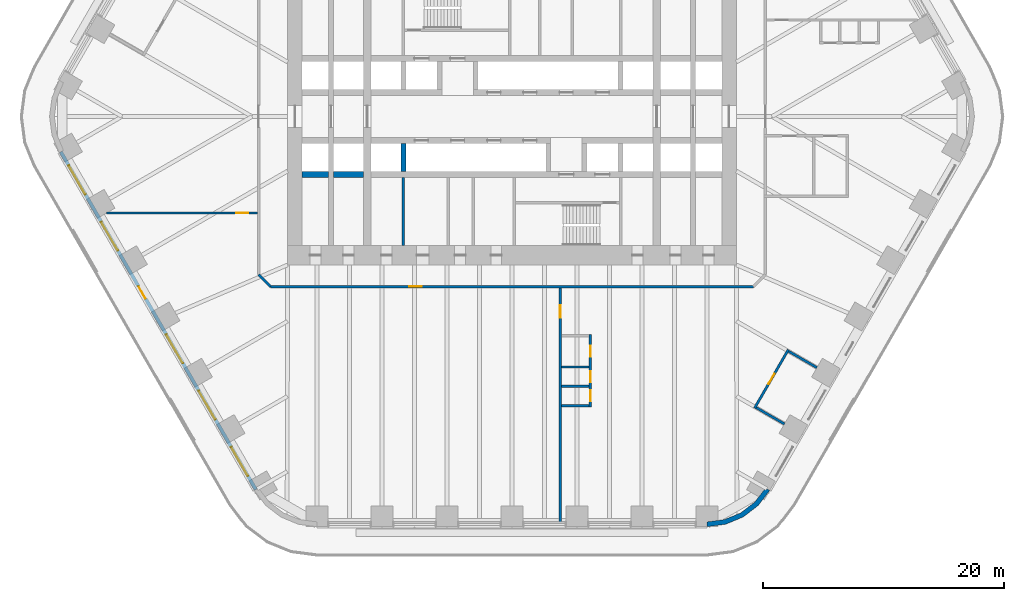
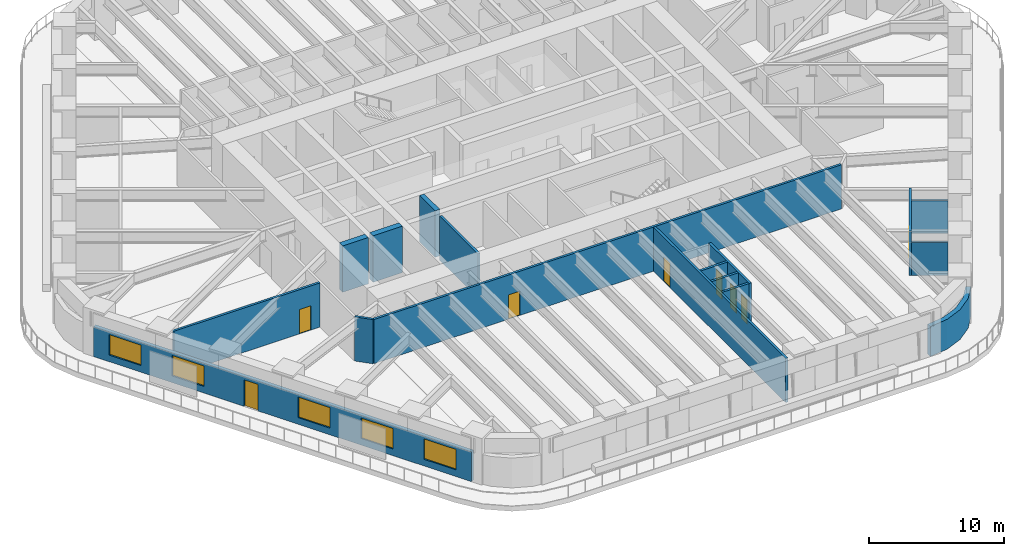
# One storey, part 16 of 24: 17 walls, 8 doors, 5 windows, 13 openings.
"""IFC4 building model written with IfcOpenShell, lengths in metres."""

from ifc_helpers import new_model, si_unit, direction, frame, frame_2d, origin, place, context, subcontext, project, spatial, polyline, rectangle, outline, extrude, material, layer, layer_set, type_object, element, fill, save


model = new_model("IFC4")

# Units and contexts
model_context = context("Model", 3, precision=1e-05, world=origin(), true_north=direction((0.0, 1.0)))
body_context = subcontext(model_context, "Body", "Model", "MODEL_VIEW")
ifc_project = project(units=[si_unit("LENGTHUNIT", "METRE"), si_unit("AREAUNIT", "SQUARE_METRE"), si_unit("VOLUMEUNIT", "CUBIC_METRE"), si_unit("PLANEANGLEUNIT", "RADIAN"), si_unit("MASSUNIT", "GRAM", prefix="KILO")], contexts=[model_context])

# Site, building, storey
site_placement = place(None, origin())
site = spatial("IfcSite", under=ifc_project, at=site_placement, CompositionType="ELEMENT")
building_placement = place(site_placement, origin())
building = spatial("IfcBuilding", under=site, at=building_placement, Name="Tarfa Lantern Tower", CompositionType="ELEMENT")
storey_placement = place(building_placement, frame((0.0, 0.0, 90.699951171875)))
storey = spatial("IfcBuildingStorey", under=building, at=storey_placement, Name="L20", CompositionType="ELEMENT", Elevation=90.699951171875)

# Wall, openings, door, windows
ifc_material_1 = material(Name="Limestone cladding on blockwork", Category="masonry")
ifc_layer_1 = layer(ifc_material_1, 0.300048828125)
ifc_layer_set_1 = layer_set([ifc_layer_1], Name="EW1 STONE-CLAD WALL 300")
wall_type_1 = type_object("IfcWallType", Name="EW1 STONE-CLAD WALL 300", PredefinedType="SOLIDWALL", material=ifc_layer_set_1)
wall_1_placement = place(storey_placement, frame((-37.39794921875, -2.925048828125, 0.0), z_axis=(0.0, 0.0, 1.0), x_axis=(0.499999163675, -0.866025886636, 0.0)))
wall_1 = element("IfcWall", 1, at=wall_1_placement, inside=storey, type_object=wall_type_1, Name="Stone wall SW", PredefinedType="SOLIDWALL", context=body_context, shape_type="SweptSolid", body=[
    extrude(rectangle(XDim=32.33154296875, YDim=0.300048828125, at=frame_2d((16.165771484375, 0.0))), origin(), (0.0, 0.0, 1.0), 2.699951171875),
])
opening_1_placement = place(wall_1_placement, frame((1.3193359375, 0.0, 0.60009765625)))
opening_1 = element("IfcOpeningElement", 2, at=opening_1_placement, cuts=wall_1, Name="Opening W2", PredefinedType="OPENING", context=body_context, shape_type="SweptSolid", body=[
    extrude(rectangle(XDim=2.75, YDim=1.85009765625, at=frame_2d((1.375, 0.925048828125))), frame((0.0, 0.159912109375, 0.0), z_axis=(0.0, -1.0, 0.0), x_axis=(1.0, 0.0, 0.0)), (0.0, 0.0, 1.0), 0.320068359375),
])
opening_2_placement = place(wall_1_placement, frame((6.7080078125, 0.0, 0.60009765625)))
opening_2 = element("IfcOpeningElement", 3, at=opening_2_placement, cuts=wall_1, Name="Opening W2", PredefinedType="OPENING", context=body_context, shape_type="SweptSolid", body=[
    extrude(rectangle(XDim=2.75, YDim=1.85009765625, at=frame_2d((1.375, 0.925048828125))), frame((0.0, 0.159912109375, 0.0), z_axis=(0.0, -1.0, 0.0), x_axis=(1.0, 0.0, 0.0)), (0.0, 0.0, 1.0), 0.320068359375),
])
opening_3_placement = place(wall_1_placement, frame((12.87158203125, 0.0, 0.0)))
opening_3 = element("IfcOpeningElement", 4, at=opening_3_placement, cuts=wall_1, Name="Opening D50", PredefinedType="OPENING", context=body_context, shape_type="SweptSolid", body=[
    extrude(rectangle(XDim=1.199951171875, YDim=2.39990234375, at=frame_2d((0.60009765625, 1.199951171875))), frame((0.0, 0.159912109375, 0.0), z_axis=(0.0, -1.0, 0.0), x_axis=(1.0, 0.0, 0.0)), (0.0, 0.0, 1.0), 0.320068359375),
])
opening_4_placement = place(wall_1_placement, frame((17.485107421875, 0.0, 0.60009765625)))
opening_4 = element("IfcOpeningElement", 5, at=opening_4_placement, cuts=wall_1, Name="Opening W2", PredefinedType="OPENING", context=body_context, shape_type="SweptSolid", body=[
    extrude(rectangle(XDim=2.75, YDim=1.85009765625, at=frame_2d((1.375, 0.925048828125))), frame((0.0, 0.159912109375, 0.0), z_axis=(0.0, -1.0, 0.0), x_axis=(1.0, 0.0, 0.0)), (0.0, 0.0, 1.0), 0.320068359375),
])
opening_5_placement = place(wall_1_placement, frame((22.873779296875, 0.0, 0.60009765625)))
opening_5 = element("IfcOpeningElement", 6, at=opening_5_placement, cuts=wall_1, Name="Opening W2", PredefinedType="OPENING", context=body_context, shape_type="SweptSolid", body=[
    extrude(rectangle(XDim=2.75, YDim=1.85009765625, at=frame_2d((1.375, 0.925048828125))), frame((0.0, 0.159912109375, 0.0), z_axis=(0.0, -1.0, 0.0), x_axis=(1.0, 0.0, 0.0)), (0.0, 0.0, 1.0), 0.320068359375),
])
opening_6_placement = place(wall_1_placement, frame((28.26220703125, 0.0, 0.60009765625)))
opening_6 = element("IfcOpeningElement", 7, at=opening_6_placement, cuts=wall_1, Name="Opening W2", PredefinedType="OPENING", context=body_context, shape_type="SweptSolid", body=[
    extrude(rectangle(XDim=2.75, YDim=1.85009765625, at=frame_2d((1.375, 0.925048828125))), frame((0.0, 0.159912109375, 0.0), z_axis=(0.0, -1.0, 0.0), x_axis=(1.0, 0.0, 0.0)), (0.0, 0.0, 1.0), 0.320068359375),
])
ifc_material_2 = material(Name="Aluminium framed glazed door", Category="aluminium")
door_type_1 = type_object("IfcDoorType", Name="BE3 BALCONY DOOR 1200x2400", OperationType="SINGLE_SWING_RIGHT", PredefinedType="DOOR", material=ifc_material_2)
door_1_placement = place(opening_3_placement, origin())
door_1 = element("IfcDoor", 8, at=door_1_placement, inside=storey, type_object=door_type_1, Name="Balcony door SW", OperationType="SINGLE_SWING_RIGHT", OverallHeight=2.39990234375, OverallWidth=1.199951171875, PredefinedType="DOOR", context=body_context, shape_type="SweptSolid", body=[
    extrude(rectangle(XDim=1.199951171875, YDim=2.39990234375, at=frame_2d((0.60009765625, 1.199951171875))), frame((0.0, 0.02490234375, 0.0), z_axis=(0.0, -1.0, 0.0), x_axis=(1.0, 0.0, 0.0)), (0.0, 0.0, 1.0), 0.050048828125),
])
fill(opening_3, door_1)
ifc_material_3 = material(Name="Aluminium frame, double glazed", Category="aluminium")
window_type = type_object("IfcWindowType", Name="W2 FULL-HEIGHT GLAZING 2750x1850", PartitioningType="SINGLE_PANEL", PredefinedType="WINDOW", material=ifc_material_3)
window_1_placement = place(opening_1_placement, origin())
window_1 = element("IfcWindow", 9, at=window_1_placement, inside=storey, type_object=window_type, Name="Window SW 1", OverallHeight=1.85009765625, OverallWidth=2.75, PartitioningType="SINGLE_PANEL", PredefinedType="WINDOW", context=body_context, shape_type="SweptSolid", body=[
    extrude(rectangle(XDim=2.75, YDim=1.85009765625, at=frame_2d((1.375, 0.925048828125))), frame((0.0, 0.030029296875, 0.0), z_axis=(0.0, -1.0, 0.0), x_axis=(1.0, 0.0, 0.0)), (0.0, 0.0, 1.0), 0.06005859375),
])
fill(opening_1, window_1)
window_2_placement = place(opening_2_placement, origin())
window_2 = element("IfcWindow", 10, at=window_2_placement, inside=storey, type_object=window_type, Name="Window SW 2", OverallHeight=1.85009765625, OverallWidth=2.75, PartitioningType="SINGLE_PANEL", PredefinedType="WINDOW", context=body_context, shape_type="SweptSolid", body=[
    extrude(rectangle(XDim=2.75, YDim=1.85009765625, at=frame_2d((1.375, 0.925048828125))), frame((0.0, 0.030029296875, 0.0), z_axis=(0.0, -1.0, 0.0), x_axis=(1.0, 0.0, 0.0)), (0.0, 0.0, 1.0), 0.06005859375),
])
fill(opening_2, window_2)
window_3_placement = place(opening_4_placement, origin())
window_3 = element("IfcWindow", 11, at=window_3_placement, inside=storey, type_object=window_type, Name="Window SW 4", OverallHeight=1.85009765625, OverallWidth=2.75, PartitioningType="SINGLE_PANEL", PredefinedType="WINDOW", context=body_context, shape_type="SweptSolid", body=[
    extrude(rectangle(XDim=2.75, YDim=1.85009765625, at=frame_2d((1.375, 0.925048828125))), frame((0.0, 0.030029296875, 0.0), z_axis=(0.0, -1.0, 0.0), x_axis=(1.0, 0.0, 0.0)), (0.0, 0.0, 1.0), 0.06005859375),
])
fill(opening_4, window_3)
window_4_placement = place(opening_5_placement, origin())
window_4 = element("IfcWindow", 12, at=window_4_placement, inside=storey, type_object=window_type, Name="Window SW 5", OverallHeight=1.85009765625, OverallWidth=2.75, PartitioningType="SINGLE_PANEL", PredefinedType="WINDOW", context=body_context, shape_type="SweptSolid", body=[
    extrude(rectangle(XDim=2.75, YDim=1.85009765625, at=frame_2d((1.375, 0.925048828125))), frame((0.0, 0.030029296875, 0.0), z_axis=(0.0, -1.0, 0.0), x_axis=(1.0, 0.0, 0.0)), (0.0, 0.0, 1.0), 0.06005859375),
])
fill(opening_5, window_4)
window_5_placement = place(opening_6_placement, origin())
window_5 = element("IfcWindow", 13, at=window_5_placement, inside=storey, type_object=window_type, Name="Window SW 6", OverallHeight=1.85009765625, OverallWidth=2.75, PartitioningType="SINGLE_PANEL", PredefinedType="WINDOW", context=body_context, shape_type="SweptSolid", body=[
    extrude(rectangle(XDim=2.75, YDim=1.85009765625, at=frame_2d((1.375, 0.925048828125))), frame((0.0, 0.030029296875, 0.0), z_axis=(0.0, -1.0, 0.0), x_axis=(1.0, 0.0, 0.0)), (0.0, 0.0, 1.0), 0.06005859375),
])
fill(opening_6, window_5)

# Walls
ifc_layer_2 = layer(ifc_material_1, 0.39990234375)
ifc_layer_set_2 = layer_set([ifc_layer_2], Name="EW2 CURVED STONE CORNER 400")
wall_type_2 = type_object("IfcWallType", Name="EW2 CURVED STONE CORNER 400", PredefinedType="SOLIDWALL", material=ifc_layer_set_2)
wall_2_placement = place(storey_placement, origin())
element("IfcWall", 14, at=wall_2_placement, inside=storey, type_object=wall_type_2, Name="Stone corner S-SE", PredefinedType="SOLIDWALL", context=body_context, shape_type="SweptSolid", body=[
    extrude(outline(polyline([(16.165771484375, -34.0), (17.71875, -33.795654296875), (19.165771484375, -33.196044921875), (20.408447265625, -32.24267578125), (21.362060546875, -31.0), (21.015625, -30.800048828125), (20.12548828125, -31.959716796875), (18.9658203125, -32.849853515625), (17.615234375, -33.4091796875), (16.165771484375, -33.60009765625), (16.165771484375, -34.0)])), origin(), (0.0, 0.0, 1.0), 2.699951171875),
])
ifc_material_4 = material(Name="Concrete blockwork", Category="masonry")
ifc_layer_3 = layer(ifc_material_4, 0.199951171875)
ifc_layer_set_3 = layer_set([ifc_layer_3], Name="IW1 BLOCKWORK PARTITION 200 EI 120")
wall_type_3 = type_object("IfcWallType", Name="IW1 BLOCKWORK PARTITION 200 EI 120", PredefinedType="PARTITIONING", material=ifc_layer_set_3)
wall_3_placement = place(storey_placement, frame((-9.0, -5.050048828125, 0.0), z_axis=(0.0, 0.0, 1.0), x_axis=(0.0, -1.0, 0.0)))
element("IfcWall", 15, at=wall_3_placement, inside=storey, type_object=wall_type_3, Name="Core partition", PredefinedType="PARTITIONING", context=body_context, shape_type="SweptSolid", body=[
    extrude(rectangle(XDim=5.64990234375, YDim=0.199951171875, at=frame_2d((2.824951171875, 0.0))), origin(), (0.0, 0.0, 1.0), 4.0),
])

# Wall, opening, door
ifc_material_5 = material(Name="Gypsum board on steel studs", Category="steel")
ifc_layer_4 = layer(ifc_material_5, 0.2099609375)
ifc_layer_set_4 = layer_set([ifc_layer_4], Name="IW2 ACOUSTIC PARTITION 200")
wall_type_4 = type_object("IfcWallType", Name="IW2 ACOUSTIC PARTITION 200", PredefinedType="PARTITIONING", material=ifc_layer_set_4)
wall_4_placement = place(storey_placement, frame((20.109130859375, -24.169921875, 0.0), z_axis=(0.0, 0.0, 1.0), x_axis=(0.50001992892, 0.866013897511, 0.0)))
wall_4 = element("IfcWall", 16, at=wall_4_placement, inside=storey, type_object=wall_type_4, Name="Partition", PredefinedType="PARTITIONING", context=body_context, shape_type="SweptSolid", body=[
    extrude(rectangle(XDim=5.588623046875, YDim=0.199951171875, at=frame_2d((2.79443359375, 0.0))), origin(), (0.0, 0.0, 1.0), 4.0),
])
opening_7_placement = place(wall_4_placement, frame((2.294189453125, 0.0, 0.0)))
opening_7 = element("IfcOpeningElement", 17, at=opening_7_placement, cuts=wall_4, Name="Opening D33", PredefinedType="OPENING", context=body_context, shape_type="SweptSolid", body=[
    extrude(rectangle(XDim=1.0, YDim=2.199951171875, at=frame_2d((0.5, 1.10009765625))), frame((0.0, 0.10986328125, 0.0), z_axis=(0.0, -1.0, 0.0), x_axis=(1.0, 0.0, 0.0)), (0.0, 0.0, 1.0), 0.219970703125),
])
ifc_material_6 = material(Name="Timber door", Category="wood")
door_type_2 = type_object("IfcDoorType", Name="DR1 ROOM DOOR 1000x2200", OperationType="SINGLE_SWING_LEFT", PredefinedType="DOOR", material=ifc_material_6)
door_2_placement = place(opening_7_placement, frame((1.0, 0.0, 0.0), z_axis=(0.0, 0.0, 1.0), x_axis=(-1.0, 0.0, 0.0)))
door_2 = element("IfcDoor", 18, at=door_2_placement, inside=storey, type_object=door_type_2, Name="Meeting room door", OperationType="SINGLE_SWING_RIGHT", OverallHeight=2.199951171875, OverallWidth=1.0, PredefinedType="DOOR", context=body_context, shape_type="SweptSolid", body=[
    extrude(rectangle(XDim=1.0, YDim=2.199951171875, at=frame_2d((0.5, 1.10009765625))), frame((0.0, 0.02490234375, 0.0), z_axis=(0.0, -1.0, 0.0), x_axis=(1.0, 0.0, 0.0)), (0.0, 0.0, 1.0), 0.050048828125),
])
fill(opening_7, door_2)

# Walls
wall_5_placement = place(storey_placement, frame((20.245849609375, -24.13330078125, 0.0), z_axis=(0.0, 0.0, 1.0), x_axis=(0.86599734893, -0.500048589285, 0.0)))
element("IfcWall", 19, at=wall_5_placement, inside=storey, type_object=wall_type_4, Name="Partition", PredefinedType="PARTITIONING", context=body_context, shape_type="SweptSolid", body=[
    extrude(rectangle(XDim=2.699951171875, YDim=0.199951171875, at=frame_2d((1.35009765625, 0.0))), origin(), (0.0, 0.0, 1.0), 2.991943359375),
])
wall_6_placement = place(storey_placement, frame((22.93994140625, -19.466552734375, 0.0), z_axis=(0.0, 0.0, 1.0), x_axis=(0.866019956843, -0.50000943426, 0.0)))
element("IfcWall", 20, at=wall_6_placement, inside=storey, type_object=wall_type_4, Name="Partition", PredefinedType="PARTITIONING", context=body_context, shape_type="SweptSolid", body=[
    extrude(rectangle(XDim=2.7001953125, YDim=0.199951171875, at=frame_2d((1.35009765625, 0.0))), origin(), (0.0, 0.0, 1.0), 2.991943359375),
])

# Wall, opening, door
wall_7_placement = place(storey_placement, frame((20.0, -14.10009765625, 0.0), z_axis=(0.0, 0.0, 1.0), x_axis=(-1.0, 0.0, 0.0)))
wall_7 = element("IfcWall", 21, at=wall_7_placement, inside=storey, type_object=wall_type_4, Name="Partition", PredefinedType="PARTITIONING", context=body_context, shape_type="SweptSolid", body=[
    extrude(rectangle(XDim=40.0, YDim=0.199951171875, at=frame_2d((20.0, 0.0))), origin(), (0.0, 0.0, 1.0), 4.0),
])
opening_8_placement = place(wall_7_placement, frame((27.5, 0.0, 0.0)))
opening_8 = element("IfcOpeningElement", 22, at=opening_8_placement, cuts=wall_7, Name="Opening D43", PredefinedType="OPENING", context=body_context, shape_type="SweptSolid", body=[
    extrude(rectangle(XDim=1.0, YDim=2.199951171875, at=frame_2d((0.5, 1.10009765625))), frame((0.0, 0.10986328125, 0.0), z_axis=(0.0, -1.0, 0.0), x_axis=(1.0, 0.0, 0.0)), (0.0, 0.0, 1.0), 0.219970703125),
])
door_3_placement = place(opening_8_placement, origin())
door_3 = element("IfcDoor", 23, at=door_3_placement, inside=storey, type_object=door_type_2, Name="Corridor door", OperationType="SINGLE_SWING_LEFT", OverallHeight=2.199951171875, OverallWidth=1.0, PredefinedType="DOOR", context=body_context, shape_type="SweptSolid", body=[
    extrude(rectangle(XDim=1.0, YDim=2.199951171875, at=frame_2d((0.5, 1.10009765625))), frame((0.0, 0.02490234375, 0.0), z_axis=(0.0, -1.0, 0.0), x_axis=(1.0, 0.0, 0.0)), (0.0, 0.0, 1.0), 0.050048828125),
])
fill(opening_8, door_3)

# Wall
wall_8_placement = place(storey_placement, frame((-20.0, -14.10009765625, 0.0), z_axis=(0.0, 0.0, 1.0), x_axis=(-0.707106781187, 0.707106781187, 0.0)))
element("IfcWall", 24, at=wall_8_placement, inside=storey, type_object=wall_type_4, Name="Partition", PredefinedType="PARTITIONING", context=body_context, shape_type="SweptSolid", body=[
    extrude(rectangle(XDim=1.414306640625, YDim=0.199951171875, at=frame_2d((0.70703125, 0.0))), origin(), (0.0, 0.0, 1.0), 4.0),
])

# Wall, opening, door
wall_9_placement = place(storey_placement, frame((4.0, -14.199951171875, 0.0), z_axis=(0.0, 0.0, 1.0), x_axis=(0.0, -1.0, 0.0)))
wall_9 = element("IfcWall", 25, at=wall_9_placement, inside=storey, type_object=wall_type_4, Name="Partition", PredefinedType="PARTITIONING", context=body_context, shape_type="SweptSolid", body=[
    extrude(rectangle(XDim=19.60009765625, YDim=0.199951171875, at=frame_2d((9.800048828125, 0.0))), origin(), (0.0, 0.0, 1.0), 4.0),
])
opening_9_placement = place(wall_9_placement, frame((1.4599609375, 0.0, 0.0)))
opening_9 = element("IfcOpeningElement", 26, at=opening_9_placement, cuts=wall_9, Name="Opening D46", PredefinedType="OPENING", context=body_context, shape_type="SweptSolid", body=[
    extrude(rectangle(XDim=1.0, YDim=2.199951171875, at=frame_2d((0.5, 1.10009765625))), frame((0.0, 0.10986328125, 0.0), z_axis=(0.0, -1.0, 0.0), x_axis=(1.0, 0.0, 0.0)), (0.0, 0.0, 1.0), 0.219970703125),
])
door_4_placement = place(opening_9_placement, frame((1.0, 0.0, 0.0), z_axis=(0.0, 0.0, 1.0), x_axis=(-1.0, 0.0, 0.0)))
door_4 = element("IfcDoor", 27, at=door_4_placement, inside=storey, type_object=door_type_2, Name="Zone door", OperationType="SINGLE_SWING_LEFT", OverallHeight=2.199951171875, OverallWidth=1.0, PredefinedType="DOOR", context=body_context, shape_type="SweptSolid", body=[
    extrude(rectangle(XDim=1.0, YDim=2.199951171875, at=frame_2d((0.5, 1.10009765625))), frame((0.0, 0.02490234375, 0.0), z_axis=(0.0, -1.0, 0.0), x_axis=(1.0, 0.0, 0.0)), (0.0, 0.0, 1.0), 0.050048828125),
])
fill(opening_9, door_4)

wall_10_placement = place(storey_placement, frame((-21.10009765625, -8.0, 0.0), z_axis=(0.0, 0.0, 1.0), x_axis=(-1.0, 0.0, 0.0)))
wall_10 = element("IfcWall", 28, at=wall_10_placement, inside=storey, type_object=wall_type_4, Name="Partition", PredefinedType="PARTITIONING", context=body_context, shape_type="SweptSolid", body=[
    extrude(rectangle(XDim=12.5107421875, YDim=0.199951171875, at=frame_2d((6.25537109375, 0.0))), origin(), (0.0, 0.0, 1.0), 4.0),
])
opening_10_placement = place(wall_10_placement, frame((0.7509765625, 0.0, 0.0)))
opening_10 = element("IfcOpeningElement", 29, at=opening_10_placement, cuts=wall_10, Name="Opening D47", PredefinedType="OPENING", context=body_context, shape_type="SweptSolid", body=[
    extrude(rectangle(XDim=1.0, YDim=2.199951171875, at=frame_2d((0.5, 1.10009765625))), frame((0.0, 0.10986328125, 0.0), z_axis=(0.0, -1.0, 0.0), x_axis=(1.0, 0.0, 0.0)), (0.0, 0.0, 1.0), 0.219970703125),
])
door_5_placement = place(opening_10_placement, origin())
door_5 = element("IfcDoor", 30, at=door_5_placement, inside=storey, type_object=door_type_2, Name="Zone door", OperationType="SINGLE_SWING_RIGHT", OverallHeight=2.199951171875, OverallWidth=1.0, PredefinedType="DOOR", context=body_context, shape_type="SweptSolid", body=[
    extrude(rectangle(XDim=1.0, YDim=2.199951171875, at=frame_2d((0.5, 1.10009765625))), frame((0.0, 0.02490234375, 0.0), z_axis=(0.0, -1.0, 0.0), x_axis=(1.0, 0.0, 0.0)), (0.0, 0.0, 1.0), 0.050048828125),
])
fill(opening_10, door_5)

# Wall, openings, doors
wall_11_placement = place(storey_placement, frame((6.5, -18.06005859375, 0.0), z_axis=(0.0, 0.0, 1.0), x_axis=(0.0, -1.0, 0.0)))
wall_11 = element("IfcWall", 31, at=wall_11_placement, inside=storey, type_object=wall_type_4, Name="Partition", PredefinedType="PARTITIONING", context=body_context, shape_type="SweptSolid", body=[
    extrude(rectangle(XDim=6.0, YDim=0.199951171875, at=frame_2d((3.0, 0.0))), origin(), (0.0, 0.0, 1.0), 4.0),
])
opening_11_placement = place(wall_11_placement, frame((0.949951171875, 0.0, 0.0)))
opening_11 = element("IfcOpeningElement", 32, at=opening_11_placement, cuts=wall_11, Name="Opening D36", PredefinedType="OPENING", context=body_context, shape_type="SweptSolid", body=[
    extrude(rectangle(XDim=0.89990234375, YDim=2.199951171875, at=frame_2d((0.449951171875, 1.10009765625))), frame((0.0, 0.10986328125, 0.0), z_axis=(0.0, -1.0, 0.0), x_axis=(1.0, 0.0, 0.0)), (0.0, 0.0, 1.0), 0.219970703125),
])
opening_12_placement = place(wall_11_placement, frame((3.050048828125, 0.0, 0.0)))
opening_12 = element("IfcOpeningElement", 33, at=opening_12_placement, cuts=wall_11, Name="Opening D37", PredefinedType="OPENING", context=body_context, shape_type="SweptSolid", body=[
    extrude(rectangle(XDim=0.89990234375, YDim=2.199951171875, at=frame_2d((0.449951171875, 1.10009765625))), frame((0.0, 0.10986328125, 0.0), z_axis=(0.0, -1.0, 0.0), x_axis=(1.0, 0.0, 0.0)), (0.0, 0.0, 1.0), 0.219970703125),
])
opening_13_placement = place(wall_11_placement, frame((4.64990234375, 0.0, 0.0)))
opening_13 = element("IfcOpeningElement", 34, at=opening_13_placement, cuts=wall_11, Name="Opening D38", PredefinedType="OPENING", context=body_context, shape_type="SweptSolid", body=[
    extrude(rectangle(XDim=0.89990234375, YDim=2.199951171875, at=frame_2d((0.449951171875, 1.10009765625))), frame((0.0, 0.10986328125, 0.0), z_axis=(0.0, -1.0, 0.0), x_axis=(1.0, 0.0, 0.0)), (0.0, 0.0, 1.0), 0.219970703125),
])
door_type_3 = type_object("IfcDoorType", Name="DR3 ROOM DOOR 900x2200", OperationType="SINGLE_SWING_LEFT", PredefinedType="DOOR", material=ifc_material_6)
door_6_placement = place(opening_11_placement, frame((0.89990234375, 0.0, 0.0), z_axis=(0.0, 0.0, 1.0), x_axis=(-1.0, 0.0, 0.0)))
door_6 = element("IfcDoor", 35, at=door_6_placement, inside=storey, type_object=door_type_3, Name="Print and copy room door", OperationType="SINGLE_SWING_LEFT", OverallHeight=2.199951171875, OverallWidth=0.89990234375, PredefinedType="DOOR", context=body_context, shape_type="SweptSolid", body=[
    extrude(rectangle(XDim=0.89990234375, YDim=2.199951171875, at=frame_2d((0.449951171875, 1.10009765625))), frame((0.0, 0.02490234375, 0.0), z_axis=(0.0, -1.0, 0.0), x_axis=(1.0, 0.0, 0.0)), (0.0, 0.0, 1.0), 0.050048828125),
])
fill(opening_11, door_6)
door_7_placement = place(opening_12_placement, frame((0.89990234375, 0.0, 0.0), z_axis=(0.0, 0.0, 1.0), x_axis=(-1.0, 0.0, 0.0)))
door_7 = element("IfcDoor", 36, at=door_7_placement, inside=storey, type_object=door_type_3, Name="Phone booth door", OperationType="SINGLE_SWING_RIGHT", OverallHeight=2.199951171875, OverallWidth=0.89990234375, PredefinedType="DOOR", context=body_context, shape_type="SweptSolid", body=[
    extrude(rectangle(XDim=0.89990234375, YDim=2.199951171875, at=frame_2d((0.449951171875, 1.10009765625))), frame((0.0, 0.02490234375, 0.0), z_axis=(0.0, -1.0, 0.0), x_axis=(1.0, 0.0, 0.0)), (0.0, 0.0, 1.0), 0.050048828125),
])
fill(opening_12, door_7)
door_8_placement = place(opening_13_placement, frame((0.89990234375, 0.0, 0.0), z_axis=(0.0, 0.0, 1.0), x_axis=(-1.0, 0.0, 0.0)))
door_8 = element("IfcDoor", 37, at=door_8_placement, inside=storey, type_object=door_type_3, Name="Phone booth door", OperationType="SINGLE_SWING_RIGHT", OverallHeight=2.199951171875, OverallWidth=0.89990234375, PredefinedType="DOOR", context=body_context, shape_type="SweptSolid", body=[
    extrude(rectangle(XDim=0.89990234375, YDim=2.199951171875, at=frame_2d((0.449951171875, 1.10009765625))), frame((0.0, 0.02490234375, 0.0), z_axis=(0.0, -1.0, 0.0), x_axis=(1.0, 0.0, 0.0)), (0.0, 0.0, 1.0), 0.050048828125),
])
fill(opening_13, door_8)

# Walls
for number, where, z_axis, x_axis, name in (
    (38, (4.10009765625, -20.760009765625, 0.0), (0.0, 0.0, 1.0), (1.0, 0.0, 0.0), "Partition"),
    (39, (4.10009765625, -22.360107421875, 0.0), (0.0, 0.0, 1.0), (1.0, 0.0, 0.0), "Partition"),
    (40, (4.10009765625, -23.9599609375, 0.0), (0.0, 0.0, 1.0), (1.0, 0.0, 0.0), "Partition"),
):
    element("IfcWall", number, at=place(storey_placement, frame(where, z_axis=z_axis, x_axis=x_axis)), inside=storey, type_object=wall_type_4, Name=name, PredefinedType="PARTITIONING", context=body_context, shape_type="SweptSolid", body=[
        extrude(rectangle(XDim=2.2998046875, YDim=0.199951171875, at=frame_2d((1.14990234375, 0.0))), origin(), (0.0, 0.0, 1.0), 4.0),
    ])
ifc_material_7 = material(Name="Concrete C80/95", Category="concrete")
ifc_layer_5 = layer(ifc_material_7, 0.5)
ifc_layer_set_5 = layer_set([ifc_layer_5], Name="SW5 CORE WALL 500")
wall_type_5 = type_object("IfcWallType", Name="SW5 CORE WALL 500", PredefinedType="SHEAR", material=ifc_layer_set_5)
wall_12_placement = place(storey_placement, frame((-12.300048828125, -4.800048828125, 0.0), z_axis=(0.0, 0.0, 1.0), x_axis=(-1.0, 0.0, 0.0)))
element("IfcWall", 41, at=wall_12_placement, inside=storey, type_object=wall_type_5, Name="Core wall rear S", PredefinedType="SHEAR", context=body_context, shape_type="SweptSolid", body=[
    extrude(rectangle(XDim=2.5, YDim=0.5, at=frame_2d((1.25, 0.0))), origin(), (0.0, 0.0, 1.0), 4.199951171875),
])
wall_13_placement = place(storey_placement, frame((-15.199951171875, -4.800048828125, 0.0), z_axis=(0.0, 0.0, 1.0), x_axis=(-1.0, 0.0, 0.0)))
element("IfcWall", 42, at=wall_13_placement, inside=storey, type_object=wall_type_5, Name="Core wall rear S", PredefinedType="SHEAR", context=body_context, shape_type="SweptSolid", body=[
    extrude(rectangle(XDim=2.199951171875, YDim=0.5, at=frame_2d((1.10009765625, 0.0))), origin(), (0.0, 0.0, 1.0), 4.199951171875),
])
ifc_layer_6 = layer(ifc_material_7, 0.39990234375)
ifc_layer_set_6 = layer_set([ifc_layer_6], Name="SW6 CORE WALL 400")
wall_type_6 = type_object("IfcWallType", Name="SW6 CORE WALL 400", PredefinedType="SHEAR", material=ifc_layer_set_6)
wall_14_placement = place(storey_placement, frame((-9.0, -2.25, 0.0), z_axis=(0.0, 0.0, 1.0), x_axis=(0.0, -1.0, 0.0)))
element("IfcWall", 43, at=wall_14_placement, inside=storey, type_object=wall_type_6, Name="Core wall divider S", PredefinedType="SHEAR", context=body_context, shape_type="SweptSolid", body=[
    extrude(rectangle(XDim=2.300048828125, YDim=0.39990234375, at=frame_2d((1.14990234375, 0.0))), origin(), (0.0, 0.0, 1.0), 4.199951171875),
])

save(model, "model.ifc")
